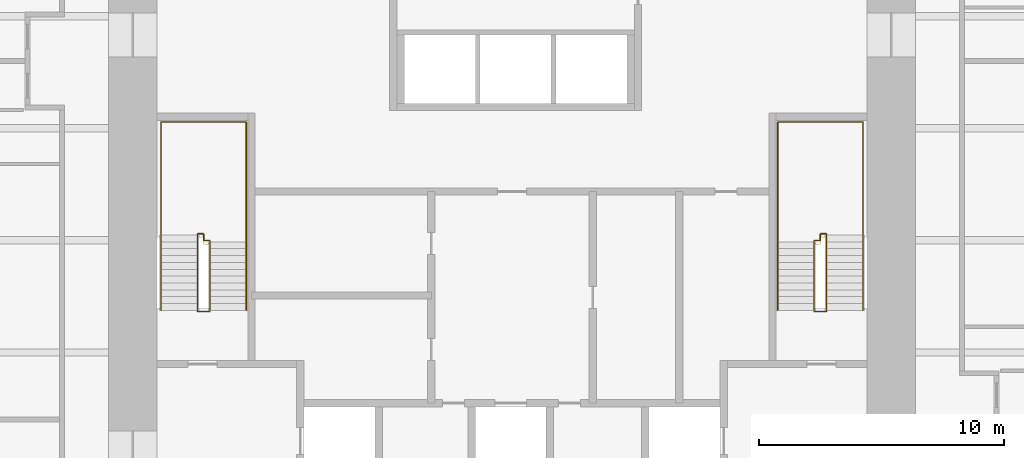
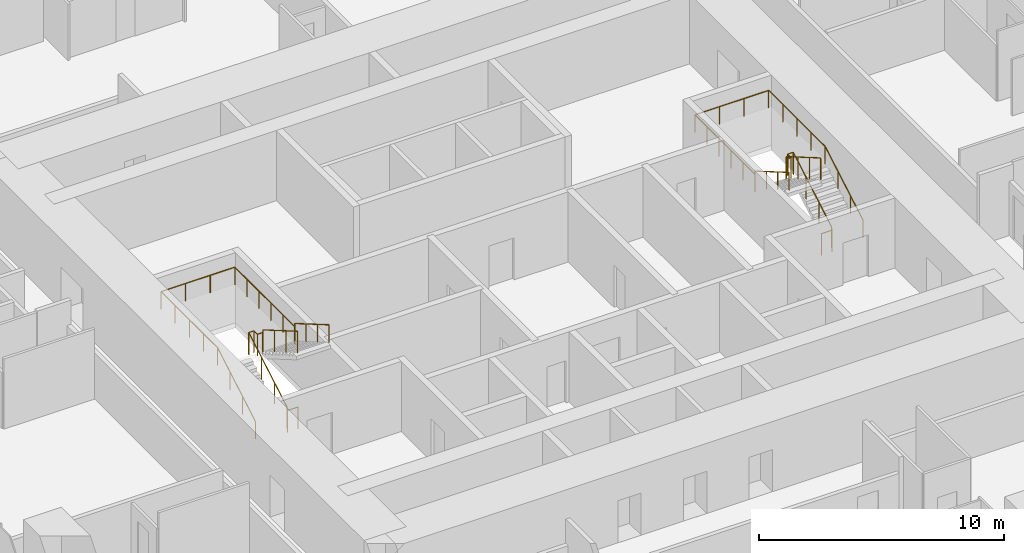
# One storey, part 13 of 13: 4 railings.
"""IFC4 building model written with IfcOpenShell, lengths in metres."""

from ifc_helpers import new_model, si_unit, direction, frame, origin, origin_2d, place, context, subcontext, project, spatial, circle, extrude, material, type_object, element, save


model = new_model("IFC4")

# Units and contexts
model_context = context("Model", 3, precision=1e-05, world=origin(), true_north=direction((0.0, 1.0)))
body_context = subcontext(model_context, "Body", "Model", "MODEL_VIEW")
ifc_project = project(units=[si_unit("LENGTHUNIT", "METRE"), si_unit("AREAUNIT", "SQUARE_METRE"), si_unit("VOLUMEUNIT", "CUBIC_METRE"), si_unit("PLANEANGLEUNIT", "RADIAN"), si_unit("MASSUNIT", "GRAM", prefix="KILO")], contexts=[model_context])

# Site, building, storey
site_placement = place(None, origin())
site = spatial("IfcSite", under=ifc_project, at=site_placement, CompositionType="ELEMENT")
building_placement = place(site_placement, origin())
building = spatial("IfcBuilding", under=site, at=building_placement, Name="Khuree Lantern Residences", CompositionType="ELEMENT")
storey_placement = place(building_placement, frame((0.0, 0.0, 126.0)))
storey = spatial("IfcBuildingStorey", under=building, at=storey_placement, Name="L31", CompositionType="ELEMENT", Elevation=126.0)

# Railings
ifc_material = material(Name="Steel S355", Category="steel")
railing_type_1 = type_object("IfcRailingType", Name="STAIR GUARD G1 1100", PredefinedType="GUARDRAIL", material=ifc_material)
railing_1_placement = place(storey_placement, frame((-12.35009765625, -2.909912109375, 0.0)))
element("IfcRailing", 1, at=railing_1_placement, inside=storey, type_object=railing_type_1, Name="Stair ST1 guard", PredefinedType="GUARDRAIL", context=body_context, shape_type="SweptSolid", body=[
    extrude(circle(Radius=0.02392578125, at=origin_2d()), frame((0.0, 0.0, 1.076171875), z_axis=(-1.0, 0.0, 0.0), x_axis=(0.0, -1.0, 0.0)), (0.0, 0.0, 1.0), 0.5),
    extrude(circle(Radius=0.02392578125, at=origin_2d()), frame((-0.5, 0.0, 1.076171875), z_axis=(0.0, 0.292073035251, 0.95639601739), x_axis=(-1.0, 0.0, 0.0)), (0.0, 0.0, 1.0), 0.17041015625),
    extrude(circle(Radius=0.02392578125, at=origin_2d()), frame((-0.5, 0.0498046875, 1.2392578125), z_axis=(0.0, 0.864176135923, 0.503189433615), x_axis=(-1.0, 0.0, 0.0)), (0.0, 0.0, 1.0), 3.564208984375),
    extrude(circle(Radius=0.02392578125, at=origin_2d()), frame((-0.5, 3.1298828125, 3.03271484375), z_axis=(0.0, 1.0, 0.0), x_axis=(-1.0, 0.0, 0.0)), (0.0, 0.0, 1.0), 0.050048828125),
    extrude(circle(Radius=0.02392578125, at=origin_2d()), frame((-0.5, 3.179931640625, 3.03271484375), z_axis=(1.0, 0.0, 0.0), x_axis=(0.0, 1.0, 0.0)), (0.0, 0.0, 1.0), 0.25),
    extrude(circle(Radius=0.02392578125, at=origin_2d()), frame((-0.25, 3.179931640625, 3.03271484375), z_axis=(0.0, -1.0, 0.0), x_axis=(1.0, 0.0, 0.0)), (0.0, 0.0, 1.0), 0.280029296875),
    extrude(circle(Radius=0.02392578125, at=origin_2d()), frame((-0.25, 2.89990234375, 3.03271484375), z_axis=(1.0, 0.0, 0.0), x_axis=(0.0, 1.0, 0.0)), (0.0, 0.0, 1.0), 0.25),
    extrude(circle(Radius=0.02392578125, at=origin_2d()), frame((0.0, 2.89990234375, 3.03271484375), z_axis=(0.0, -0.293381807449, 0.955995353053), x_axis=(1.0, 0.0, 0.0)), (0.0, 0.0, 1.0), 0.170654296875),
    extrude(circle(Radius=0.02392578125, at=origin_2d()), frame((0.0, 2.849853515625, 3.19580078125), z_axis=(0.0, -0.864180358799, 0.503182181189), x_axis=(1.0, 0.0, 0.0)), (0.0, 0.0, 1.0), 3.240234375),
    extrude(circle(Radius=0.02099609375, at=origin_2d()), origin(), (0.0, 0.0, 1.0), 1.052001953125),
    extrude(circle(Radius=0.02099609375, at=origin_2d()), frame((-0.5, 0.0, 0.0)), (0.0, 0.0, 1.0), 1.052001953125),
    extrude(circle(Radius=0.02099609375, at=origin_2d()), frame((-0.5, 0.0498046875, 0.1630859375)), (0.0, 0.0, 1.0), 1.052001953125),
    extrude(circle(Radius=0.02099609375, at=origin_2d()), frame((-0.5, 1.076416015625, 0.760986328125)), (0.0, 0.0, 1.0), 1.052001953125),
    extrude(circle(Radius=0.02099609375, at=origin_2d()), frame((-0.5, 2.103271484375, 1.358642578125)), (0.0, 0.0, 1.0), 1.052001953125),
    extrude(circle(Radius=0.02099609375, at=origin_2d()), frame((-0.5, 3.1298828125, 1.95654296875)), (0.0, 0.0, 1.0), 1.052001953125),
    extrude(circle(Radius=0.02099609375, at=origin_2d()), frame((-0.5, 3.179931640625, 1.95654296875)), (0.0, 0.0, 1.0), 1.052001953125),
    extrude(circle(Radius=0.02099609375, at=origin_2d()), frame((-0.25, 3.179931640625, 1.95654296875)), (0.0, 0.0, 1.0), 1.052001953125),
    extrude(circle(Radius=0.02099609375, at=origin_2d()), frame((-0.25, 2.89990234375, 1.95654296875)), (0.0, 0.0, 1.0), 1.052001953125),
    extrude(circle(Radius=0.02099609375, at=origin_2d()), frame((0.0, 2.89990234375, 1.95654296875)), (0.0, 0.0, 1.0), 1.052001953125),
    extrude(circle(Radius=0.02099609375, at=origin_2d()), frame((0.0, 2.849853515625, 2.11962890625)), (0.0, 0.0, 1.0), 1.052001953125),
    extrude(circle(Radius=0.02099609375, at=origin_2d()), frame((0.0, 1.91650390625, 2.6630859375)), (0.0, 0.0, 1.0), 1.052001953125),
    extrude(circle(Radius=0.02099609375, at=origin_2d()), frame((0.0, 0.983154296875, 3.20654296875)), (0.0, 0.0, 1.0), 1.052001953125),
    extrude(circle(Radius=0.02099609375, at=origin_2d()), frame((0.0, 0.0498046875, 3.75)), (0.0, 0.0, 1.0), 1.052001953125),
])
railing_2_placement = place(storey_placement, frame((12.35009765625, -2.909912109375, 0.0)))
element("IfcRailing", 2, at=railing_2_placement, inside=storey, type_object=railing_type_1, Name="Stair ST2 guard", PredefinedType="GUARDRAIL", context=body_context, shape_type="SweptSolid", body=[
    extrude(circle(Radius=0.02392578125, at=origin_2d()), frame((0.0, 0.0, 1.076171875), z_axis=(1.0, 0.0, 0.0), x_axis=(0.0, 1.0, 0.0)), (0.0, 0.0, 1.0), 0.5),
    extrude(circle(Radius=0.02392578125, at=origin_2d()), frame((0.5, 0.0, 1.076171875), z_axis=(0.0, 0.292073035251, 0.95639601739), x_axis=(-1.0, 0.0, 0.0)), (0.0, 0.0, 1.0), 0.17041015625),
    extrude(circle(Radius=0.02392578125, at=origin_2d()), frame((0.5, 0.0498046875, 1.2392578125), z_axis=(0.0, 0.864176135923, 0.503189433615), x_axis=(-1.0, 0.0, 0.0)), (0.0, 0.0, 1.0), 3.564208984375),
    extrude(circle(Radius=0.02392578125, at=origin_2d()), frame((0.5, 3.1298828125, 3.03271484375), z_axis=(0.0, 1.0, 0.0), x_axis=(-1.0, 0.0, 0.0)), (0.0, 0.0, 1.0), 0.050048828125),
    extrude(circle(Radius=0.02392578125, at=origin_2d()), frame((0.5, 3.179931640625, 3.03271484375), z_axis=(-1.0, 0.0, 0.0), x_axis=(0.0, -1.0, 0.0)), (0.0, 0.0, 1.0), 0.25),
    extrude(circle(Radius=0.02392578125, at=origin_2d()), frame((0.25, 3.179931640625, 3.03271484375), z_axis=(0.0, -1.0, 0.0), x_axis=(1.0, 0.0, 0.0)), (0.0, 0.0, 1.0), 0.280029296875),
    extrude(circle(Radius=0.02392578125, at=origin_2d()), frame((0.25, 2.89990234375, 3.03271484375), z_axis=(-1.0, 0.0, 0.0), x_axis=(0.0, -1.0, 0.0)), (0.0, 0.0, 1.0), 0.25),
    extrude(circle(Radius=0.02392578125, at=origin_2d()), frame((0.0, 2.89990234375, 3.03271484375), z_axis=(0.0, -0.293381807449, 0.955995353053), x_axis=(1.0, 0.0, 0.0)), (0.0, 0.0, 1.0), 0.170654296875),
    extrude(circle(Radius=0.02392578125, at=origin_2d()), frame((0.0, 2.849853515625, 3.19580078125), z_axis=(0.0, -0.864180358799, 0.503182181189), x_axis=(1.0, 0.0, 0.0)), (0.0, 0.0, 1.0), 3.240234375),
    extrude(circle(Radius=0.02099609375, at=origin_2d()), origin(), (0.0, 0.0, 1.0), 1.052001953125),
    extrude(circle(Radius=0.02099609375, at=origin_2d()), frame((0.5, 0.0, 0.0)), (0.0, 0.0, 1.0), 1.052001953125),
    extrude(circle(Radius=0.02099609375, at=origin_2d()), frame((0.5, 0.0498046875, 0.1630859375)), (0.0, 0.0, 1.0), 1.052001953125),
    extrude(circle(Radius=0.02099609375, at=origin_2d()), frame((0.5, 1.076416015625, 0.760986328125)), (0.0, 0.0, 1.0), 1.052001953125),
    extrude(circle(Radius=0.02099609375, at=origin_2d()), frame((0.5, 2.103271484375, 1.358642578125)), (0.0, 0.0, 1.0), 1.052001953125),
    extrude(circle(Radius=0.02099609375, at=origin_2d()), frame((0.5, 3.1298828125, 1.95654296875)), (0.0, 0.0, 1.0), 1.052001953125),
    extrude(circle(Radius=0.02099609375, at=origin_2d()), frame((0.5, 3.179931640625, 1.95654296875)), (0.0, 0.0, 1.0), 1.052001953125),
    extrude(circle(Radius=0.02099609375, at=origin_2d()), frame((0.25, 3.179931640625, 1.95654296875)), (0.0, 0.0, 1.0), 1.052001953125),
    extrude(circle(Radius=0.02099609375, at=origin_2d()), frame((0.25, 2.89990234375, 1.95654296875)), (0.0, 0.0, 1.0), 1.052001953125),
    extrude(circle(Radius=0.02099609375, at=origin_2d()), frame((0.0, 2.89990234375, 1.95654296875)), (0.0, 0.0, 1.0), 1.052001953125),
    extrude(circle(Radius=0.02099609375, at=origin_2d()), frame((0.0, 2.849853515625, 2.11962890625)), (0.0, 0.0, 1.0), 1.052001953125),
    extrude(circle(Radius=0.02099609375, at=origin_2d()), frame((0.0, 1.91650390625, 2.6630859375)), (0.0, 0.0, 1.0), 1.052001953125),
    extrude(circle(Radius=0.02099609375, at=origin_2d()), frame((0.0, 0.983154296875, 3.20654296875)), (0.0, 0.0, 1.0), 1.052001953125),
    extrude(circle(Radius=0.02099609375, at=origin_2d()), frame((0.0, 0.0498046875, 3.75)), (0.0, 0.0, 1.0), 1.052001953125),
])
railing_type_2 = type_object("IfcRailingType", Name="STAIR HANDRAIL H1 900", PredefinedType="HANDRAIL", material=ifc_material)
railing_3_placement = place(storey_placement, frame((-14.340087890625, -2.860107421875, 0.1630859375)))
element("IfcRailing", 3, at=railing_3_placement, inside=storey, type_object=railing_type_2, Name="Stair ST1 handrail", PredefinedType="HANDRAIL", context=body_context, shape_type="SweptSolid", body=[
    extrude(circle(Radius=0.02392578125, at=origin_2d()), frame((0.0, 0.0, 0.8759765625), z_axis=(0.0, 0.864176135923, 0.503189433615), x_axis=(-1.0, 0.0, 0.0)), (0.0, 0.0, 1.0), 3.564208984375),
    extrude(circle(Radius=0.02392578125, at=origin_2d()), frame((0.0, 3.080078125, 2.66943359375), z_axis=(0.0, 1.0, 0.0), x_axis=(-1.0, 0.0, 0.0)), (0.0, 0.0, 1.0), 4.6201171875),
    extrude(circle(Radius=0.02392578125, at=origin_2d()), frame((0.0, 7.7001953125, 2.66943359375), z_axis=(1.0, 0.0, 0.0), x_axis=(0.0, 1.0, 0.0)), (0.0, 0.0, 1.0), 3.47998046875),
    extrude(circle(Radius=0.02392578125, at=origin_2d()), frame((3.47998046875, 7.7001953125, 2.66943359375), z_axis=(0.0, -1.0, 0.0), x_axis=(1.0, 0.0, 0.0)), (0.0, 0.0, 1.0), 4.900146484375),
    extrude(circle(Radius=0.02392578125, at=origin_2d()), frame((3.47998046875, 2.800048828125, 2.66943359375), z_axis=(0.0, 0.0, 1.0), x_axis=(1.0, 0.0, 0.0)), (0.0, 0.0, 1.0), 0.1630859375),
    extrude(circle(Radius=0.02392578125, at=origin_2d()), frame((3.47998046875, 2.800048828125, 2.83251953125), z_axis=(0.0, -0.864180358799, 0.503182181189), x_axis=(1.0, 0.0, 0.0)), (0.0, 0.0, 1.0), 3.240234375),
    extrude(circle(Radius=0.02099609375, at=origin_2d()), origin(), (0.0, 0.0, 1.0), 0.851806640625),
    extrude(circle(Radius=0.02099609375, at=origin_2d()), frame((0.0, 1.026611328125, 0.597900390625)), (0.0, 0.0, 1.0), 0.851806640625),
    extrude(circle(Radius=0.02099609375, at=origin_2d()), frame((0.0, 2.053466796875, 1.195556640625)), (0.0, 0.0, 1.0), 0.851806640625),
    extrude(circle(Radius=0.02099609375, at=origin_2d()), frame((0.0, 3.080078125, 1.79345703125)), (0.0, 0.0, 1.0), 0.851806640625),
    extrude(circle(Radius=0.02099609375, at=origin_2d()), frame((0.0, 4.235107421875, 1.79345703125)), (0.0, 0.0, 1.0), 0.851806640625),
    extrude(circle(Radius=0.02099609375, at=origin_2d()), frame((0.0, 5.39013671875, 1.79345703125)), (0.0, 0.0, 1.0), 0.851806640625),
    extrude(circle(Radius=0.02099609375, at=origin_2d()), frame((0.0, 6.545166015625, 1.79345703125)), (0.0, 0.0, 1.0), 0.851806640625),
    extrude(circle(Radius=0.02099609375, at=origin_2d()), frame((0.0, 7.7001953125, 1.79345703125)), (0.0, 0.0, 1.0), 0.851806640625),
    extrude(circle(Radius=0.02099609375, at=origin_2d()), frame((1.159912109375, 7.7001953125, 1.79345703125)), (0.0, 0.0, 1.0), 0.851806640625),
    extrude(circle(Radius=0.02099609375, at=origin_2d()), frame((2.320068359375, 7.7001953125, 1.79345703125)), (0.0, 0.0, 1.0), 0.851806640625),
    extrude(circle(Radius=0.02099609375, at=origin_2d()), frame((3.47998046875, 7.7001953125, 1.79345703125)), (0.0, 0.0, 1.0), 0.851806640625),
    extrude(circle(Radius=0.02099609375, at=origin_2d()), frame((3.47998046875, 6.72021484375, 1.79345703125)), (0.0, 0.0, 1.0), 0.851806640625),
    extrude(circle(Radius=0.02099609375, at=origin_2d()), frame((3.47998046875, 5.740234375, 1.79345703125)), (0.0, 0.0, 1.0), 0.851806640625),
    extrude(circle(Radius=0.02099609375, at=origin_2d()), frame((3.47998046875, 4.760009765625, 1.79345703125)), (0.0, 0.0, 1.0), 0.851806640625),
    extrude(circle(Radius=0.02099609375, at=origin_2d()), frame((3.47998046875, 3.780029296875, 1.79345703125)), (0.0, 0.0, 1.0), 0.851806640625),
    extrude(circle(Radius=0.02099609375, at=origin_2d()), frame((3.47998046875, 2.800048828125, 1.79345703125)), (0.0, 0.0, 1.0), 0.851806640625),
    extrude(circle(Radius=0.02099609375, at=origin_2d()), frame((3.47998046875, 2.800048828125, 1.95654296875)), (0.0, 0.0, 1.0), 0.851806640625),
    extrude(circle(Radius=0.02099609375, at=origin_2d()), frame((3.47998046875, 1.86669921875, 2.5)), (0.0, 0.0, 1.0), 0.851806640625),
    extrude(circle(Radius=0.02099609375, at=origin_2d()), frame((3.47998046875, 0.933349609375, 3.04345703125)), (0.0, 0.0, 1.0), 0.851806640625),
    extrude(circle(Radius=0.02099609375, at=origin_2d()), frame((3.47998046875, 0.0, 3.5869140625)), (0.0, 0.0, 1.0), 0.851806640625),
])
railing_4_placement = place(storey_placement, frame((14.340087890625, -2.860107421875, 0.1630859375)))
element("IfcRailing", 4, at=railing_4_placement, inside=storey, type_object=railing_type_2, Name="Stair ST2 handrail", PredefinedType="HANDRAIL", context=body_context, shape_type="SweptSolid", body=[
    extrude(circle(Radius=0.02392578125, at=origin_2d()), frame((0.0, 0.0, 0.8759765625), z_axis=(0.0, 0.864176135923, 0.503189433615), x_axis=(-1.0, 0.0, 0.0)), (0.0, 0.0, 1.0), 3.564208984375),
    extrude(circle(Radius=0.02392578125, at=origin_2d()), frame((0.0, 3.080078125, 2.66943359375), z_axis=(0.0, 1.0, 0.0), x_axis=(-1.0, 0.0, 0.0)), (0.0, 0.0, 1.0), 4.6201171875),
    extrude(circle(Radius=0.02392578125, at=origin_2d()), frame((0.0, 7.7001953125, 2.66943359375), z_axis=(-1.0, 0.0, 0.0), x_axis=(0.0, -1.0, 0.0)), (0.0, 0.0, 1.0), 3.47998046875),
    extrude(circle(Radius=0.02392578125, at=origin_2d()), frame((-3.47998046875, 7.7001953125, 2.66943359375), z_axis=(0.0, -1.0, 0.0), x_axis=(1.0, 0.0, 0.0)), (0.0, 0.0, 1.0), 4.900146484375),
    extrude(circle(Radius=0.02392578125, at=origin_2d()), frame((-3.47998046875, 2.800048828125, 2.66943359375), z_axis=(0.0, 0.0, 1.0), x_axis=(1.0, 0.0, 0.0)), (0.0, 0.0, 1.0), 0.1630859375),
    extrude(circle(Radius=0.02392578125, at=origin_2d()), frame((-3.47998046875, 2.800048828125, 2.83251953125), z_axis=(0.0, -0.864180358799, 0.503182181189), x_axis=(1.0, 0.0, 0.0)), (0.0, 0.0, 1.0), 3.240234375),
    extrude(circle(Radius=0.02099609375, at=origin_2d()), origin(), (0.0, 0.0, 1.0), 0.851806640625),
    extrude(circle(Radius=0.02099609375, at=origin_2d()), frame((0.0, 1.026611328125, 0.597900390625)), (0.0, 0.0, 1.0), 0.851806640625),
    extrude(circle(Radius=0.02099609375, at=origin_2d()), frame((0.0, 2.053466796875, 1.195556640625)), (0.0, 0.0, 1.0), 0.851806640625),
    extrude(circle(Radius=0.02099609375, at=origin_2d()), frame((0.0, 3.080078125, 1.79345703125)), (0.0, 0.0, 1.0), 0.851806640625),
    extrude(circle(Radius=0.02099609375, at=origin_2d()), frame((0.0, 4.235107421875, 1.79345703125)), (0.0, 0.0, 1.0), 0.851806640625),
    extrude(circle(Radius=0.02099609375, at=origin_2d()), frame((0.0, 5.39013671875, 1.79345703125)), (0.0, 0.0, 1.0), 0.851806640625),
    extrude(circle(Radius=0.02099609375, at=origin_2d()), frame((0.0, 6.545166015625, 1.79345703125)), (0.0, 0.0, 1.0), 0.851806640625),
    extrude(circle(Radius=0.02099609375, at=origin_2d()), frame((0.0, 7.7001953125, 1.79345703125)), (0.0, 0.0, 1.0), 0.851806640625),
    extrude(circle(Radius=0.02099609375, at=origin_2d()), frame((-1.159912109375, 7.7001953125, 1.79345703125)), (0.0, 0.0, 1.0), 0.851806640625),
    extrude(circle(Radius=0.02099609375, at=origin_2d()), frame((-2.320068359375, 7.7001953125, 1.79345703125)), (0.0, 0.0, 1.0), 0.851806640625),
    extrude(circle(Radius=0.02099609375, at=origin_2d()), frame((-3.47998046875, 7.7001953125, 1.79345703125)), (0.0, 0.0, 1.0), 0.851806640625),
    extrude(circle(Radius=0.02099609375, at=origin_2d()), frame((-3.47998046875, 6.72021484375, 1.79345703125)), (0.0, 0.0, 1.0), 0.851806640625),
    extrude(circle(Radius=0.02099609375, at=origin_2d()), frame((-3.47998046875, 5.740234375, 1.79345703125)), (0.0, 0.0, 1.0), 0.851806640625),
    extrude(circle(Radius=0.02099609375, at=origin_2d()), frame((-3.47998046875, 4.760009765625, 1.79345703125)), (0.0, 0.0, 1.0), 0.851806640625),
    extrude(circle(Radius=0.02099609375, at=origin_2d()), frame((-3.47998046875, 3.780029296875, 1.79345703125)), (0.0, 0.0, 1.0), 0.851806640625),
    extrude(circle(Radius=0.02099609375, at=origin_2d()), frame((-3.47998046875, 2.800048828125, 1.79345703125)), (0.0, 0.0, 1.0), 0.851806640625),
    extrude(circle(Radius=0.02099609375, at=origin_2d()), frame((-3.47998046875, 2.800048828125, 1.95654296875)), (0.0, 0.0, 1.0), 0.851806640625),
    extrude(circle(Radius=0.02099609375, at=origin_2d()), frame((-3.47998046875, 1.86669921875, 2.5)), (0.0, 0.0, 1.0), 0.851806640625),
    extrude(circle(Radius=0.02099609375, at=origin_2d()), frame((-3.47998046875, 0.933349609375, 3.04345703125)), (0.0, 0.0, 1.0), 0.851806640625),
    extrude(circle(Radius=0.02099609375, at=origin_2d()), frame((-3.47998046875, 0.0, 3.5869140625)), (0.0, 0.0, 1.0), 0.851806640625),
])

save(model, "model.ifc")
